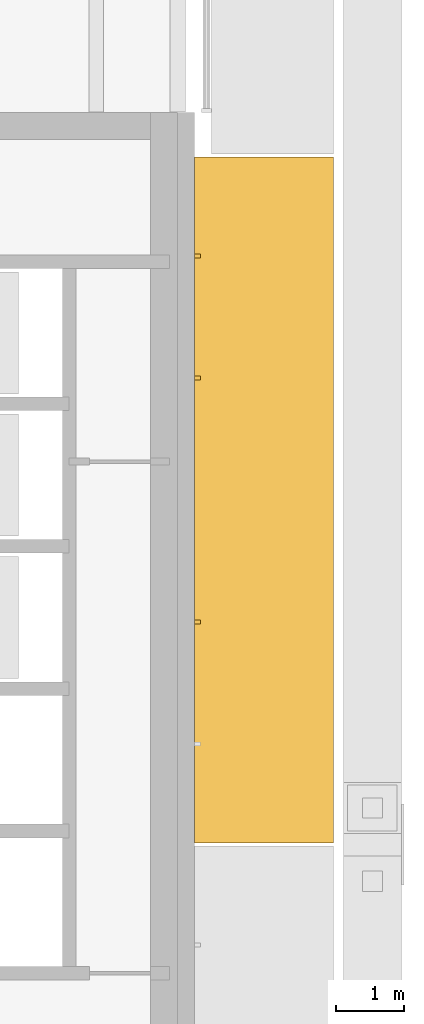
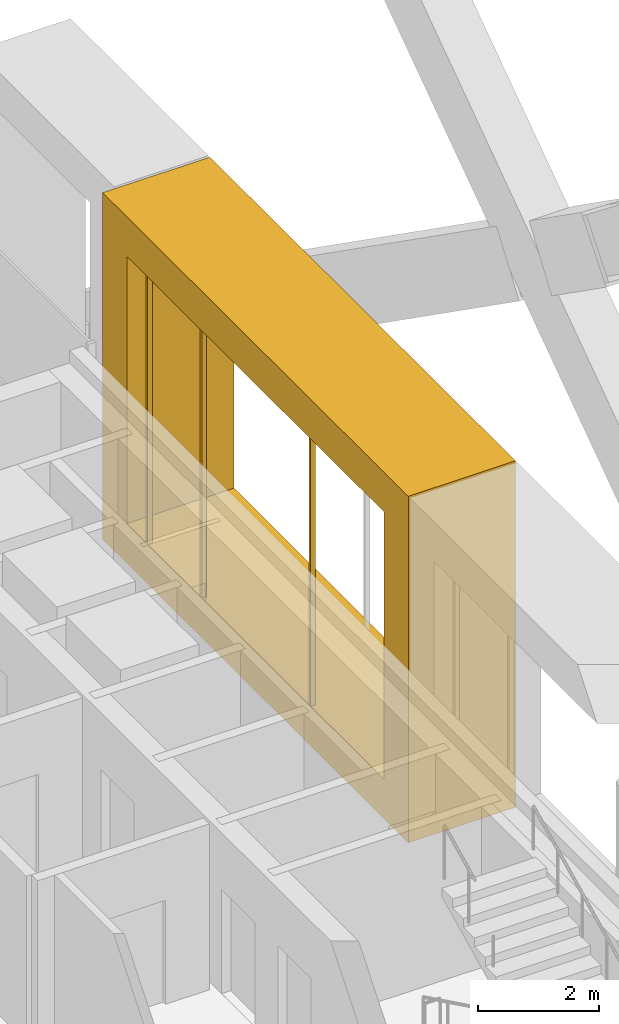
# One storey, part 19 of 21: 4 coverings.
"""IFC4 building model written with IfcOpenShell, lengths in metres."""

from ifc_helpers import new_model, si_unit, direction, frame, origin, origin_2d, place, context, subcontext, project, spatial, polyline, rectangle, outline, extrude, material, type_object, element, save


model = new_model("IFC4")

# Units and contexts
model_context = context("Model", 3, precision=1e-05, world=origin(), true_north=direction((0.0, 1.0)))
body_context = subcontext(model_context, "Body", "Model", "MODEL_VIEW")
ifc_project = project(units=[si_unit("LENGTHUNIT", "METRE"), si_unit("AREAUNIT", "SQUARE_METRE"), si_unit("VOLUMEUNIT", "CUBIC_METRE"), si_unit("PLANEANGLEUNIT", "RADIAN"), si_unit("MASSUNIT", "GRAM", prefix="KILO")], contexts=[model_context])

# Site, building, storey
site_placement = place(None, origin())
site = spatial("IfcSite", under=ifc_project, at=site_placement, CompositionType="ELEMENT")
building_placement = place(site_placement, origin())
building = spatial("IfcBuilding", under=site, at=building_placement, Name="Cobrizo Arcos Hotel Tower", CompositionType="ELEMENT")
storey_placement = place(building_placement, frame((0.0, 0.0, 212.0)))
storey = spatial("IfcBuildingStorey", under=building, at=storey_placement, Name="L55", CompositionType="ELEMENT", Elevation=212.0)

# Coverings
ifc_material_1 = material(Name="Aluminium 6063-T6 anodised bronze", Category="aluminium")
covering_type_1 = type_object("IfcCoveringType", Name="FIN-F 2050", PredefinedType="CLADDING", material=ifc_material_1)
covering_placement = place(storey_placement, frame((20.64990234375, 0.02490234375, 0.0), z_axis=(1.0, 0.0, 0.0), x_axis=(0.0, 1.0, 0.0)))
element("IfcCovering", 1, at=covering_placement, inside=storey, type_object=covering_type_1, Name="Fin frame 319", PredefinedType="CLADDING", context=body_context, shape_type="SweptSolid", body=[
    extrude(outline(polyline([(0.0, 7.0), (0.0, 0.0), (10.11669921875, 0.0), (10.11669921875, 7.0), (0.0, 7.0)]), holes=[polyline([(9.316650390625, 0.800048828125), (0.800048828125, 0.800048828125), (0.800048828125, 6.199951171875), (9.316650390625, 6.199951171875), (9.316650390625, 0.800048828125)])]), origin(), (0.0, 0.0, 1.0), 2.050048828125),
])
ifc_material_2 = material(Name="Aluminium 6063-T6 anodised pale", Category="aluminium")
covering_type_2 = type_object("IfcCoveringType", Name="RS-1 rainscreen rib 60x90", PredefinedType="CLADDING", material=ifc_material_2)
for number, where, z_axis, x_axis, name in (
    (2, (20.695068359375, 3.283447265625, 0.800048828125), (0.0, 0.0, 1.0), (0.0, 1.0, 0.0), "Rainscreen rib 214"),
    (3, (20.695068359375, 6.88330078125, 0.800048828125), (0.0, 0.0, 1.0), (0.0, 1.0, 0.0), "Rainscreen rib 215"),
    (4, (20.695068359375, 8.683349609375, 0.800048828125), (0.0, 0.0, 1.0), (0.0, 1.0, 0.0), "Rainscreen rib 216"),
):
    element("IfcCovering", number, at=place(storey_placement, frame(where, z_axis=z_axis, x_axis=x_axis)), inside=storey, type_object=covering_type_2, Name=name, PredefinedType="CLADDING", context=body_context, shape_type="SweptSolid", body=[
        extrude(rectangle(XDim=0.06005859375, YDim=0.090087890625, at=origin_2d()), origin(), (0.0, 0.0, 1.0), 5.39990234375),
    ])

save(model, "model.ifc")
